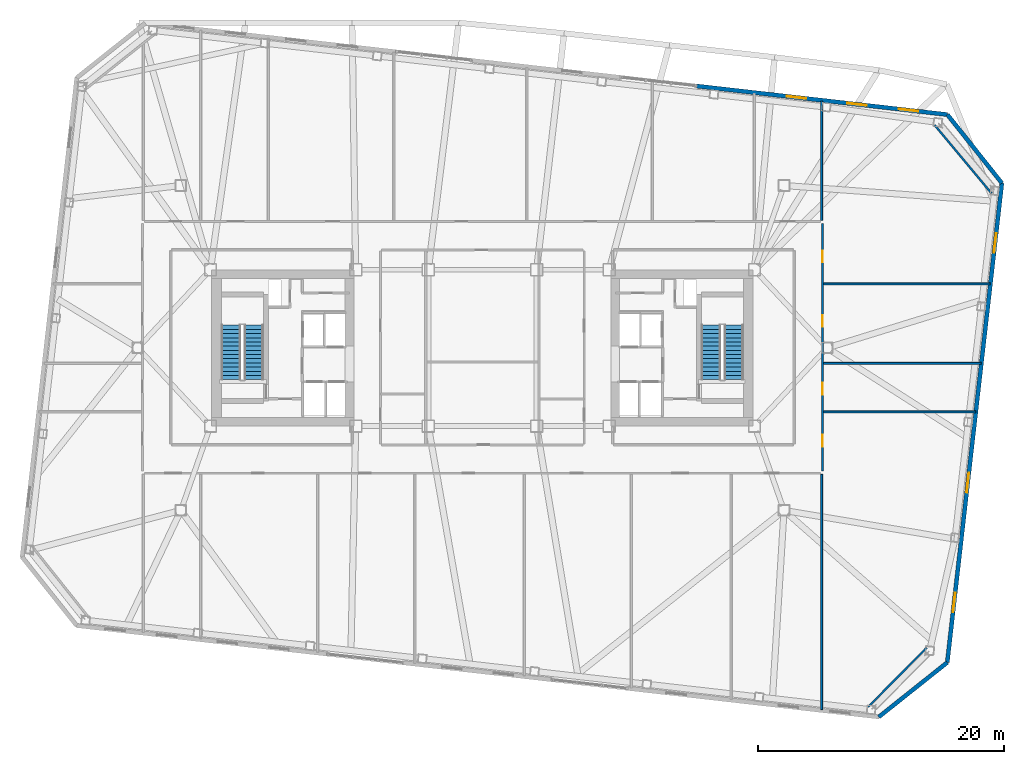
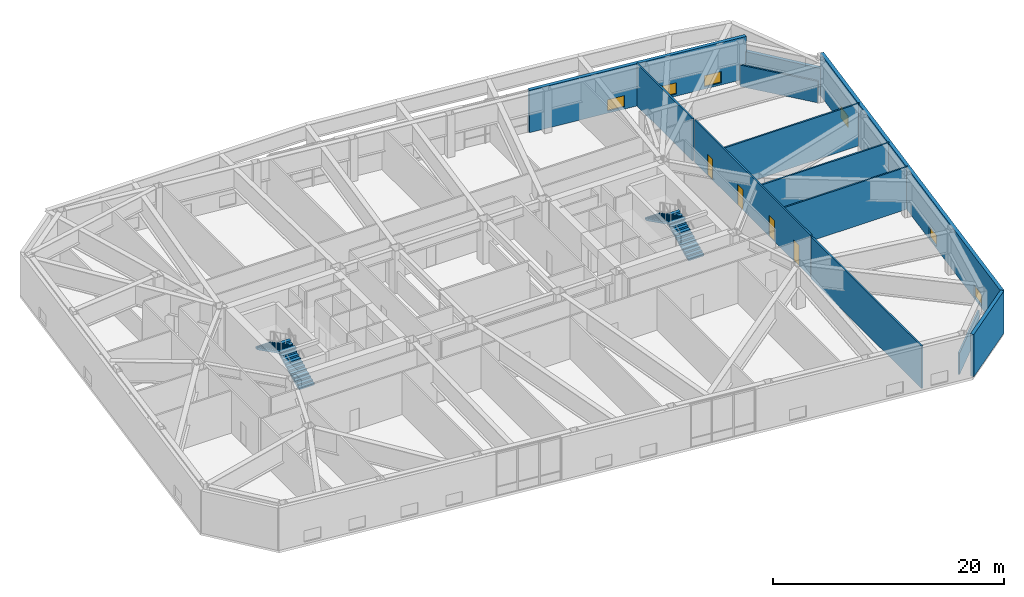
# One storey, part 14 of 19: 12 walls, 6 windows, 4 doors, 4 stair flights, 10 openings, 2 elements without a shape of their own.
"""IFC4 building model written with IfcOpenShell, lengths in metres."""

from ifc_helpers import new_model, si_unit, direction, frame, frame_2d, origin, place, context, subcontext, project, spatial, polyline, rectangle, outline, extrude, material, layer, layer_set, type_object, element, fill, aggregate, save


model = new_model("IFC4")

# Units and contexts
model_context = context("Model", 3, precision=1e-05, world=origin(), true_north=direction((0.0, 1.0)))
body_context = subcontext(model_context, "Body", "Model", "MODEL_VIEW")
ifc_project = project(units=[si_unit("LENGTHUNIT", "METRE"), si_unit("AREAUNIT", "SQUARE_METRE"), si_unit("VOLUMEUNIT", "CUBIC_METRE"), si_unit("PLANEANGLEUNIT", "RADIAN"), si_unit("MASSUNIT", "GRAM", prefix="KILO")], contexts=[model_context])

# Site, building, storey
site_placement = place(None, origin())
site = spatial("IfcSite", under=ifc_project, at=site_placement, CompositionType="ELEMENT")
building_placement = place(site_placement, origin())
building = spatial("IfcBuilding", under=site, at=building_placement, Name="Tavrogorsk Clinical Tower", CompositionType="ELEMENT")
storey_placement = place(building_placement, frame((0.0, 0.0, 141.39990234375)))
storey = spatial("IfcBuildingStorey", under=building, at=storey_placement, Name="L32", CompositionType="ELEMENT", Elevation=141.39990234375)

# Walls
ifc_material_1 = material(Name="Lightweight concrete blockwork B15", Category="masonry")
ifc_layer_1 = layer(ifc_material_1, 0.159912109375)
ifc_layer_set_1 = layer_set([ifc_layer_1], Name="Lightweight concrete blockwork B15")
wall_type_1 = type_object("IfcWallType", Name="PartitionWall_160", PredefinedType="PARTITIONING", material=ifc_layer_set_1)
wall_1_placement = place(storey_placement, frame((31.34130859375, -29.162109375, 0.0), z_axis=(0.0, 0.0, 1.0), x_axis=(0.702905898933, 0.711282853192, 0.0)))
element("IfcWall", 1, at=wall_1_placement, inside=storey, type_object=wall_type_1, Name="L32 Corner Exoskeleton Brace Furring Wall 1", PredefinedType="PARTITIONING", context=body_context, shape_type="SweptSolid", body=[
    extrude(rectangle(XDim=6.761474609375, YDim=0.159912109375, at=frame_2d((3.380859375, 0.0))), origin(), (0.0, 0.0, 1.0), 2.275146484375),
])
wall_2_placement = place(storey_placement, frame((41.36083984375, 12.555908203125, 0.0), z_axis=(0.0, 0.0, 1.0), x_axis=(-0.640217638562, 0.768193579298, 0.0)))
element("IfcWall", 2, at=wall_2_placement, inside=storey, type_object=wall_type_1, Name="L32 Corner Exoskeleton Brace Furring Wall 2", PredefinedType="PARTITIONING", context=body_context, shape_type="SweptSolid", body=[
    extrude(rectangle(XDim=7.224365234375, YDim=0.159912109375, at=frame_2d((3.6123046875, 0.0))), origin(), (0.0, 0.0, 1.0), 2.275146484375),
])

# Wall, openings, doors
wall_3_placement = place(storey_placement, frame((27.6298828125, 10.114990234375, 0.0), z_axis=(0.0, 0.0, 1.0), x_axis=(0.0, -1.0, 0.0)))
wall_3 = element("IfcWall", 3, at=wall_3_placement, inside=storey, type_object=wall_type_1, Name="L32 Corridor Partition 03", PredefinedType="PARTITIONING", context=body_context, shape_type="SweptSolid", body=[
    extrude(rectangle(XDim=20.1298828125, YDim=0.159912109375, at=frame_2d((10.06494140625, 0.0))), origin(), (0.0, 0.0, 1.0), 4.47998046875),
])
opening_1_placement = place(wall_3_placement, frame((17.180908203125, 0.0, 0.0)))
opening_1 = element("IfcOpeningElement", 4, at=opening_1_placement, cuts=wall_3, Name="Opening ID-02", PredefinedType="OPENING", context=body_context, shape_type="SweptSolid", body=[
    extrude(rectangle(XDim=0.949951171875, YDim=2.199951171875, at=frame_2d((0.47509765625, 1.10009765625))), frame((0.0, 0.08984375, 0.0), z_axis=(0.0, -1.0, 0.0), x_axis=(1.0, 0.0, 0.0)), (0.0, 0.0, 1.0), 0.179931640625),
])
opening_2_placement = place(wall_3_placement, frame((12.949951171875, 0.0, 0.0)))
opening_2 = element("IfcOpeningElement", 5, at=opening_2_placement, cuts=wall_3, Name="Opening ID-02", PredefinedType="OPENING", context=body_context, shape_type="SweptSolid", body=[
    extrude(rectangle(XDim=0.949951171875, YDim=2.199951171875, at=frame_2d((0.47509765625, 1.10009765625))), frame((0.0, 0.08984375, 0.0), z_axis=(0.0, -1.0, 0.0), x_axis=(1.0, 0.0, 0.0)), (0.0, 0.0, 1.0), 0.179931640625),
])
opening_3_placement = place(wall_3_placement, frame((7.449951171875, 0.0, 0.0)))
opening_3 = element("IfcOpeningElement", 6, at=opening_3_placement, cuts=wall_3, Name="Opening ID-02", PredefinedType="OPENING", context=body_context, shape_type="SweptSolid", body=[
    extrude(rectangle(XDim=0.949951171875, YDim=2.199951171875, at=frame_2d((0.47509765625, 1.10009765625))), frame((0.0, 0.08984375, 0.0), z_axis=(0.0, -1.0, 0.0), x_axis=(1.0, 0.0, 0.0)), (0.0, 0.0, 1.0), 0.179931640625),
])
opening_4_placement = place(wall_3_placement, frame((2.218994140625, 0.0, 0.0)))
opening_4 = element("IfcOpeningElement", 7, at=opening_4_placement, cuts=wall_3, Name="Opening ID-02", PredefinedType="OPENING", context=body_context, shape_type="SweptSolid", body=[
    extrude(rectangle(XDim=0.949951171875, YDim=2.199951171875, at=frame_2d((0.47509765625, 1.10009765625))), frame((0.0, 0.08984375, 0.0), z_axis=(0.0, -1.0, 0.0), x_axis=(1.0, 0.0, 0.0)), (0.0, 0.0, 1.0), 0.179931640625),
])
ifc_material_2 = material(Name="Laminated timber leaf on aluminium frame", Category="wood")
door_type = type_object("IfcDoorType", Name="InteriorDoor_ID02_950", OperationType="NOTDEFINED", PredefinedType="DOOR", material=ifc_material_2)
door_1_placement = place(opening_1_placement, origin())
door_1 = element("IfcDoor", 8, at=door_1_placement, inside=storey, type_object=door_type, Name="L32 E Senior Clinician Suite 1 Door", OperationType="SINGLE_SWING_LEFT", OverallHeight=2.199951171875, OverallWidth=0.949951171875, PredefinedType="DOOR", context=body_context, shape_type="SweptSolid", body=[
    extrude(rectangle(XDim=0.949951171875, YDim=2.199951171875, at=frame_2d((0.47509765625, 1.10009765625))), frame((0.0, 0.02490234375, 0.0), z_axis=(0.0, -1.0, 0.0), x_axis=(1.0, 0.0, 0.0)), (0.0, 0.0, 1.0), 0.050048828125),
])
fill(opening_1, door_1)
door_2_placement = place(opening_2_placement, origin())
door_2 = element("IfcDoor", 9, at=door_2_placement, inside=storey, type_object=door_type, Name="L32 E Multidisciplinary Seminar Suite 2 Door", OperationType="SINGLE_SWING_RIGHT", OverallHeight=2.199951171875, OverallWidth=0.949951171875, PredefinedType="DOOR", context=body_context, shape_type="SweptSolid", body=[
    extrude(rectangle(XDim=0.949951171875, YDim=2.199951171875, at=frame_2d((0.47509765625, 1.10009765625))), frame((0.0, 0.02490234375, 0.0), z_axis=(0.0, -1.0, 0.0), x_axis=(1.0, 0.0, 0.0)), (0.0, 0.0, 1.0), 0.050048828125),
])
fill(opening_2, door_2)
door_3_placement = place(opening_3_placement, origin())
door_3 = element("IfcDoor", 10, at=door_3_placement, inside=storey, type_object=door_type, Name="L32 E Specialist Consultation Room 3 Door", OperationType="SINGLE_SWING_LEFT", OverallHeight=2.199951171875, OverallWidth=0.949951171875, PredefinedType="DOOR", context=body_context, shape_type="SweptSolid", body=[
    extrude(rectangle(XDim=0.949951171875, YDim=2.199951171875, at=frame_2d((0.47509765625, 1.10009765625))), frame((0.0, 0.02490234375, 0.0), z_axis=(0.0, -1.0, 0.0), x_axis=(1.0, 0.0, 0.0)), (0.0, 0.0, 1.0), 0.050048828125),
])
fill(opening_3, door_3)
door_4_placement = place(opening_4_placement, origin())
door_4 = element("IfcDoor", 11, at=door_4_placement, inside=storey, type_object=door_type, Name="L32 E Clinical Fellows' Study 4 Door", OperationType="SINGLE_SWING_RIGHT", OverallHeight=2.199951171875, OverallWidth=0.949951171875, PredefinedType="DOOR", context=body_context, shape_type="SweptSolid", body=[
    extrude(rectangle(XDim=0.949951171875, YDim=2.199951171875, at=frame_2d((0.47509765625, 1.10009765625))), frame((0.0, 0.02490234375, 0.0), z_axis=(0.0, -1.0, 0.0), x_axis=(1.0, 0.0, 0.0)), (0.0, 0.0, 1.0), 0.050048828125),
])
fill(opening_4, door_4)

# Walls
wall_4_placement = place(storey_placement, frame((27.550048828125, 10.364990234375, 0.0), z_axis=(0.0, 0.0, 1.0), x_axis=(0.0, 1.0, 0.0)))
element("IfcWall", 12, at=wall_4_placement, inside=storey, type_object=wall_type_1, Name="L32 NE Wing Closure Partition", PredefinedType="PARTITIONING", context=body_context, shape_type="SweptSolid", body=[
    extrude(rectangle(XDim=9.6884765625, YDim=0.159912109375, at=frame_2d((4.84423828125, 0.0))), origin(), (0.0, 0.0, 1.0), 4.47998046875),
])
wall_5_placement = place(storey_placement, frame((27.550048828125, -29.384521484375, 0.0), z_axis=(0.0, 0.0, 1.0), x_axis=(0.0, 1.0, 0.0)))
element("IfcWall", 13, at=wall_5_placement, inside=storey, type_object=wall_type_1, Name="L32 SE Wing Closure Partition", PredefinedType="PARTITIONING", context=body_context, shape_type="SweptSolid", body=[
    extrude(rectangle(XDim=19.11962890625, YDim=0.159912109375, at=frame_2d((9.559814453125, 0.0))), origin(), (0.0, 0.0, 1.0), 4.47998046875),
])
wall_6_placement = place(storey_placement, frame((27.715087890625, -5.199951171875, 0.0), z_axis=(0.0, 0.0, 1.0), x_axis=(1.0, 0.0, 0.0)))
element("IfcWall", 14, at=wall_6_placement, inside=storey, type_object=wall_type_1, Name="L32 E Wing Divider 1", PredefinedType="PARTITIONING", context=body_context, shape_type="SweptSolid", body=[
    extrude(rectangle(XDim=12.35205078125, YDim=0.159912109375, at=frame_2d((6.176025390625, 0.0))), origin(), (0.0, 0.0, 1.0), 4.47998046875),
])
wall_7_placement = place(storey_placement, frame((27.715087890625, -1.25, 0.0), z_axis=(0.0, 0.0, 1.0), x_axis=(1.0, 0.0, 0.0)))
element("IfcWall", 15, at=wall_7_placement, inside=storey, type_object=wall_type_1, Name="L32 E Wing Divider 2", PredefinedType="PARTITIONING", context=body_context, shape_type="SweptSolid", body=[
    extrude(rectangle(XDim=12.80224609375, YDim=0.159912109375, at=frame_2d((6.401123046875, 0.0))), origin(), (0.0, 0.0, 1.0), 4.47998046875),
])
wall_8_placement = place(storey_placement, frame((27.715087890625, 5.199951171875, 0.0), z_axis=(0.0, 0.0, 1.0), x_axis=(1.0, 0.0, 0.0)))
element("IfcWall", 16, at=wall_8_placement, inside=storey, type_object=wall_type_1, Name="L32 E Wing Divider 3", PredefinedType="PARTITIONING", context=body_context, shape_type="SweptSolid", body=[
    extrude(rectangle(XDim=13.537109375, YDim=0.159912109375, at=frame_2d((6.7685546875, 0.0))), origin(), (0.0, 0.0, 1.0), 4.47998046875),
])

# Wall, openings, windows
ifc_material_3 = material(Name="Precast concrete B45 with limestone cladding", Category="masonry")
ifc_layer_2 = layer(ifc_material_3, 0.340087890625)
ifc_layer_set_2 = layer_set([ifc_layer_2], Name="Precast concrete B45 with limestone cladding")
wall_type_2 = type_object("IfcWallType", Name="PrecastLimestoneWall_340", PredefinedType="STANDARD", material=ifc_layer_set_2)
wall_9_placement = place(storey_placement, frame((37.77734375, 18.95849609375, 0.0), z_axis=(0.0, 0.0, 1.0), x_axis=(-0.993570538923, 0.113214770165, 0.0)))
wall_9 = element("IfcWall", 17, at=wall_9_placement, inside=storey, type_object=wall_type_2, Name="L32 N Limestone Facade Wall 1", PredefinedType="STANDARD", context=body_context, shape_type="SweptSolid", body=[
    extrude(rectangle(XDim=20.522705078125, YDim=0.340087890625, at=frame_2d((10.26123046875, 0.0))), origin(), (0.0, 0.0, 1.0), 4.47998046875),
])
opening_5_placement = place(wall_9_placement, frame((11.534912109375, 0.0, 0.219970703125)))
opening_5 = element("IfcOpeningElement", 18, at=opening_5_placement, cuts=wall_9, Name="Opening WN-09", PredefinedType="OPENING", context=body_context, shape_type="SweptSolid", body=[
    extrude(rectangle(XDim=1.60009765625, YDim=1.199951171875, at=frame_2d((0.800048828125, 0.60009765625))), frame((0.0, 0.179931640625, 0.0), z_axis=(0.0, -1.0, 0.0), x_axis=(1.0, 0.0, 0.0)), (0.0, 0.0, 1.0), 0.360107421875),
])
opening_6_placement = place(wall_9_placement, frame((6.585693359375, 0.0, 0.219970703125)))
opening_6 = element("IfcOpeningElement", 19, at=opening_6_placement, cuts=wall_9, Name="Opening WN-09", PredefinedType="OPENING", context=body_context, shape_type="SweptSolid", body=[
    extrude(rectangle(XDim=1.60009765625, YDim=1.199951171875, at=frame_2d((0.800048828125, 0.60009765625))), frame((0.0, 0.179931640625, 0.0), z_axis=(0.0, -1.0, 0.0), x_axis=(1.0, 0.0, 0.0)), (0.0, 0.0, 1.0), 0.360107421875),
])
opening_7_placement = place(wall_9_placement, frame((2.375244140625, 0.0, 0.219970703125)))
opening_7 = element("IfcOpeningElement", 20, at=opening_7_placement, cuts=wall_9, Name="Opening WN-09", PredefinedType="OPENING", context=body_context, shape_type="SweptSolid", body=[
    extrude(rectangle(XDim=1.60009765625, YDim=1.199951171875, at=frame_2d((0.800048828125, 0.60009765625))), frame((0.0, 0.179931640625, 0.0), z_axis=(0.0, -1.0, 0.0), x_axis=(1.0, 0.0, 0.0)), (0.0, 0.0, 1.0), 0.360107421875),
])
ifc_material_4 = material(Name="Thermally broken aluminium frame and triple IGU", Category="aluminium")
window_type = type_object("IfcWindowType", Name="LowHeadTransWin_1600x1200", PartitioningType="DOUBLE_PANEL_VERTICAL", PredefinedType="WINDOW", material=ifc_material_4)
window_1_placement = place(opening_5_placement, origin())
window_1 = element("IfcWindow", 21, at=window_1_placement, inside=storey, type_object=window_type, Name="L32 N Chicago Window 08", OverallHeight=1.199951171875, OverallWidth=1.60009765625, PartitioningType="SINGLE_PANEL", PredefinedType="WINDOW", context=body_context, shape_type="SweptSolid", body=[
    extrude(rectangle(XDim=1.60009765625, YDim=1.199951171875, at=frame_2d((0.800048828125, 0.60009765625))), frame((0.0, 0.030029296875, 0.0), z_axis=(0.0, -1.0, 0.0), x_axis=(1.0, 0.0, 0.0)), (0.0, 0.0, 1.0), 0.06005859375),
])
fill(opening_5, window_1)
window_2_placement = place(opening_6_placement, origin())
window_2 = element("IfcWindow", 22, at=window_2_placement, inside=storey, type_object=window_type, Name="L32 N Chicago Window 09", OverallHeight=1.199951171875, OverallWidth=1.60009765625, PartitioningType="SINGLE_PANEL", PredefinedType="WINDOW", context=body_context, shape_type="SweptSolid", body=[
    extrude(rectangle(XDim=1.60009765625, YDim=1.199951171875, at=frame_2d((0.800048828125, 0.60009765625))), frame((0.0, 0.030029296875, 0.0), z_axis=(0.0, -1.0, 0.0), x_axis=(1.0, 0.0, 0.0)), (0.0, 0.0, 1.0), 0.06005859375),
])
fill(opening_6, window_2)
window_3_placement = place(opening_7_placement, origin())
window_3 = element("IfcWindow", 23, at=window_3_placement, inside=storey, type_object=window_type, Name="L32 N Chicago Window 10", OverallHeight=1.199951171875, OverallWidth=1.60009765625, PartitioningType="SINGLE_PANEL", PredefinedType="WINDOW", context=body_context, shape_type="SweptSolid", body=[
    extrude(rectangle(XDim=1.60009765625, YDim=1.199951171875, at=frame_2d((0.800048828125, 0.60009765625))), frame((0.0, 0.030029296875, 0.0), z_axis=(0.0, -1.0, 0.0), x_axis=(1.0, 0.0, 0.0)), (0.0, 0.0, 1.0), 0.06005859375),
])
fill(opening_7, window_3)

wall_10_placement = place(storey_placement, frame((37.76806640625, -25.556396484375, 0.0), z_axis=(0.0, 0.0, 1.0), x_axis=(0.113201605824, 0.993572038877, 0.0)))
wall_10 = element("IfcWall", 24, at=wall_10_placement, inside=storey, type_object=wall_type_2, Name="L32 E Pleated Limestone Wing Wall", PredefinedType="STANDARD", context=body_context, shape_type="SweptSolid", body=[
    extrude(rectangle(XDim=39.199951171875, YDim=0.340087890625, at=frame_2d((19.60009765625, 0.0))), origin(), (0.0, 0.0, 1.0), 4.47998046875),
])
opening_8_placement = place(wall_10_placement, frame((4.10009765625, 0.0, 0.219970703125)))
opening_8 = element("IfcOpeningElement", 25, at=opening_8_placement, cuts=wall_10, Name="Opening WN-09", PredefinedType="OPENING", context=body_context, shape_type="SweptSolid", body=[
    extrude(rectangle(XDim=1.60009765625, YDim=1.199951171875, at=frame_2d((0.800048828125, 0.60009765625))), frame((0.0, 0.179931640625, 0.0), z_axis=(0.0, -1.0, 0.0), x_axis=(1.0, 0.0, 0.0)), (0.0, 0.0, 1.0), 0.360107421875),
])
opening_9_placement = place(wall_10_placement, frame((13.89990234375, 0.0, 0.219970703125)))
opening_9 = element("IfcOpeningElement", 26, at=opening_9_placement, cuts=wall_10, Name="Opening WN-09", PredefinedType="OPENING", context=body_context, shape_type="SweptSolid", body=[
    extrude(rectangle(XDim=1.60009765625, YDim=1.199951171875, at=frame_2d((0.800048828125, 0.60009765625))), frame((0.0, 0.179931640625, 0.0), z_axis=(0.0, -1.0, 0.0), x_axis=(1.0, 0.0, 0.0)), (0.0, 0.0, 1.0), 0.360107421875),
])
opening_10_placement = place(wall_10_placement, frame((33.5, 0.0, 0.219970703125)))
opening_10 = element("IfcOpeningElement", 27, at=opening_10_placement, cuts=wall_10, Name="Opening WN-09", PredefinedType="OPENING", context=body_context, shape_type="SweptSolid", body=[
    extrude(rectangle(XDim=1.60009765625, YDim=1.199951171875, at=frame_2d((0.800048828125, 0.60009765625))), frame((0.0, 0.179931640625, 0.0), z_axis=(0.0, -1.0, 0.0), x_axis=(1.0, 0.0, 0.0)), (0.0, 0.0, 1.0), 0.360107421875),
])
window_4_placement = place(opening_8_placement, origin())
window_4 = element("IfcWindow", 28, at=window_4_placement, inside=storey, type_object=window_type, Name="L32 E Pleat Slot Window 1", OverallHeight=1.199951171875, OverallWidth=1.60009765625, PartitioningType="SINGLE_PANEL", PredefinedType="WINDOW", context=body_context, shape_type="SweptSolid", body=[
    extrude(rectangle(XDim=1.60009765625, YDim=1.199951171875, at=frame_2d((0.800048828125, 0.60009765625))), frame((0.0, 0.030029296875, 0.0), z_axis=(0.0, -1.0, 0.0), x_axis=(1.0, 0.0, 0.0)), (0.0, 0.0, 1.0), 0.06005859375),
])
fill(opening_8, window_4)
window_5_placement = place(opening_9_placement, origin())
window_5 = element("IfcWindow", 29, at=window_5_placement, inside=storey, type_object=window_type, Name="L32 E Pleat Slot Window 2", OverallHeight=1.199951171875, OverallWidth=1.60009765625, PartitioningType="SINGLE_PANEL", PredefinedType="WINDOW", context=body_context, shape_type="SweptSolid", body=[
    extrude(rectangle(XDim=1.60009765625, YDim=1.199951171875, at=frame_2d((0.800048828125, 0.60009765625))), frame((0.0, 0.030029296875, 0.0), z_axis=(0.0, -1.0, 0.0), x_axis=(1.0, 0.0, 0.0)), (0.0, 0.0, 1.0), 0.06005859375),
])
fill(opening_9, window_5)
window_6_placement = place(opening_10_placement, origin())
window_6 = element("IfcWindow", 30, at=window_6_placement, inside=storey, type_object=window_type, Name="L32 E Pleat Slot Window 4", OverallHeight=1.199951171875, OverallWidth=1.60009765625, PartitioningType="SINGLE_PANEL", PredefinedType="WINDOW", context=body_context, shape_type="SweptSolid", body=[
    extrude(rectangle(XDim=1.60009765625, YDim=1.199951171875, at=frame_2d((0.800048828125, 0.60009765625))), frame((0.0, 0.030029296875, 0.0), z_axis=(0.0, -1.0, 0.0), x_axis=(1.0, 0.0, 0.0)), (0.0, 0.0, 1.0), 0.06005859375),
])
fill(opening_10, window_6)

# Walls
wall_11_placement = place(storey_placement, frame((32.200927734375, -29.984619140625, 0.0), z_axis=(0.0, 0.0, 1.0), x_axis=(0.78261359446, 0.622507800567, 0.0)))
element("IfcWall", 31, at=wall_11_placement, inside=storey, type_object=wall_type_2, Name="L32 Chamfered Corner Wall 1", PredefinedType="STANDARD", context=body_context, shape_type="SweptSolid", body=[
    extrude(rectangle(XDim=7.113525390625, YDim=0.340087890625, at=frame_2d((3.556640625, 0.0))), origin(), (0.0, 0.0, 1.0), 4.47998046875),
])
wall_12_placement = place(storey_placement, frame((42.20556640625, 13.3916015625, 0.0), z_axis=(0.0, 0.0, 1.0), x_axis=(-0.622524521309, 0.782600294128, 0.0)))
element("IfcWall", 32, at=wall_12_placement, inside=storey, type_object=wall_type_2, Name="L32 Chamfered Corner Wall 2", PredefinedType="STANDARD", context=body_context, shape_type="SweptSolid", body=[
    extrude(rectangle(XDim=7.11328125, YDim=0.340087890625, at=frame_2d((3.556640625, 0.0))), origin(), (0.0, 0.0, 1.0), 2.875),
])

# Stair, stair flights
ifc_material_5 = material(Name="Concrete B60", Category="concrete")
stair_type = type_object("IfcStairType", Name="CoreStairAssembly", PredefinedType="HALF_TURN_STAIR", material=ifc_material_5)
stair_1_placement = place(storey_placement, origin())
stair_1 = element("IfcStair", 33, at=stair_1_placement, inside=storey, type_object=stair_type, Name="L32 ST-W", PredefinedType="HALF_TURN_STAIR")
ifc_material_6 = material(Name="Concrete B60", Category="concrete")
stair_flight_type = type_object("IfcStairFlightType", Name="CoreStairFlight", PredefinedType="STRAIGHT", material=ifc_material_6)
stair_flight_1_placement = place(storey_placement, frame((-18.574951171875, -2.574951171875, 0.0), z_axis=(0.0, 0.0, 1.0), x_axis=(0.0, 1.0, 0.0)))
stair_flight_1 = element("IfcStairFlight", 34, at=stair_flight_1_placement, type_object=stair_flight_type, Name="ST-W flight 1", NumberOfRisers=14, NumberOfTreads=13, PredefinedType="STRAIGHT", RiserHeight=0.171428571, TreadLength=0.34, context=body_context, shape_type="SweptSolid", body=[
    extrude(outline(polyline([(0.0, 0.0), (0.0, 0.17138671875), (0.340087890625, 0.17138671875), (0.340087890625, 0.3427734375), (0.679931640625, 0.3427734375), (0.679931640625, 0.514404296875), (1.02001953125, 0.514404296875), (1.02001953125, 0.685791015625), (1.360107421875, 0.685791015625), (1.360107421875, 0.857177734375), (1.699951171875, 0.857177734375), (1.699951171875, 1.028564453125), (2.0400390625, 1.028564453125), (2.0400390625, 1.199951171875), (2.3798828125, 1.199951171875), (2.3798828125, 1.371337890625), (2.719970703125, 1.371337890625), (2.719970703125, 1.54296875), (3.06005859375, 1.54296875), (3.06005859375, 1.71435546875), (3.39990234375, 1.71435546875), (3.39990234375, 1.8857421875), (3.739990234375, 1.8857421875), (3.739990234375, 2.05712890625), (4.080078125, 2.05712890625), (4.080078125, 2.228515625), (4.419921875, 2.228515625), (4.419921875, 2.39990234375), (4.419921875, 2.060791015625), (0.3330078125, 0.0), (0.0, 0.0)])), frame((0.0, 0.77490234375, 0.0), z_axis=(0.0, -1.0, 0.0), x_axis=(1.0, 0.0, 0.0)), (0.0, 0.0, 1.0), 1.550048828125),
])
stair_flight_2_placement = place(storey_placement, frame((-20.425048828125, 1.844970703125, 2.400146484375), z_axis=(0.0, 0.0, 1.0), x_axis=(0.0, -1.0, 0.0)))
stair_flight_2 = element("IfcStairFlight", 35, at=stair_flight_2_placement, type_object=stair_flight_type, Name="ST-W flight 2", NumberOfRisers=14, NumberOfTreads=13, PredefinedType="STRAIGHT", RiserHeight=0.171428571, TreadLength=0.34, context=body_context, shape_type="SweptSolid", body=[
    extrude(outline(polyline([(0.0, 0.0), (0.0, 0.17138671875), (0.340087890625, 0.17138671875), (0.340087890625, 0.3427734375), (0.679931640625, 0.3427734375), (0.679931640625, 0.514404296875), (1.02001953125, 0.514404296875), (1.02001953125, 0.685791015625), (1.360107421875, 0.685791015625), (1.360107421875, 0.857177734375), (1.699951171875, 0.857177734375), (1.699951171875, 1.028564453125), (2.0400390625, 1.028564453125), (2.0400390625, 1.199951171875), (2.3798828125, 1.199951171875), (2.3798828125, 1.371337890625), (2.719970703125, 1.371337890625), (2.719970703125, 1.54296875), (3.06005859375, 1.54296875), (3.06005859375, 1.71435546875), (3.39990234375, 1.71435546875), (3.39990234375, 1.8857421875), (3.739990234375, 1.8857421875), (3.739990234375, 2.05712890625), (4.080078125, 2.05712890625), (4.080078125, 2.228515625), (4.419921875, 2.228515625), (4.419921875, 2.39990234375), (4.419921875, 2.060791015625), (0.3330078125, 0.0), (0.0, 0.0)])), frame((0.0, 0.77490234375, 0.0), z_axis=(0.0, -1.0, 0.0), x_axis=(1.0, 0.0, 0.0)), (0.0, 0.0, 1.0), 1.550048828125),
])
aggregate(stair_1, [stair_flight_1, stair_flight_2])

stair_2_placement = place(storey_placement, origin())
stair_2 = element("IfcStair", 36, at=stair_2_placement, inside=storey, type_object=stair_type, Name="L32 ST-E", PredefinedType="HALF_TURN_STAIR")
stair_flight_3_placement = place(storey_placement, frame((20.425048828125, -2.574951171875, 0.0), z_axis=(0.0, 0.0, 1.0), x_axis=(0.0, 1.0, 0.0)))
stair_flight_3 = element("IfcStairFlight", 37, at=stair_flight_3_placement, type_object=stair_flight_type, Name="ST-E flight 1", NumberOfRisers=14, NumberOfTreads=13, PredefinedType="STRAIGHT", RiserHeight=0.171428571, TreadLength=0.34, context=body_context, shape_type="SweptSolid", body=[
    extrude(outline(polyline([(0.0, 0.0), (0.0, 0.17138671875), (0.340087890625, 0.17138671875), (0.340087890625, 0.3427734375), (0.679931640625, 0.3427734375), (0.679931640625, 0.514404296875), (1.02001953125, 0.514404296875), (1.02001953125, 0.685791015625), (1.360107421875, 0.685791015625), (1.360107421875, 0.857177734375), (1.699951171875, 0.857177734375), (1.699951171875, 1.028564453125), (2.0400390625, 1.028564453125), (2.0400390625, 1.199951171875), (2.3798828125, 1.199951171875), (2.3798828125, 1.371337890625), (2.719970703125, 1.371337890625), (2.719970703125, 1.54296875), (3.06005859375, 1.54296875), (3.06005859375, 1.71435546875), (3.39990234375, 1.71435546875), (3.39990234375, 1.8857421875), (3.739990234375, 1.8857421875), (3.739990234375, 2.05712890625), (4.080078125, 2.05712890625), (4.080078125, 2.228515625), (4.419921875, 2.228515625), (4.419921875, 2.39990234375), (4.419921875, 2.060791015625), (0.3330078125, 0.0), (0.0, 0.0)])), frame((0.0, 0.77490234375, 0.0), z_axis=(0.0, -1.0, 0.0), x_axis=(1.0, 0.0, 0.0)), (0.0, 0.0, 1.0), 1.550048828125),
])
stair_flight_4_placement = place(storey_placement, frame((18.574951171875, 1.844970703125, 2.400146484375), z_axis=(0.0, 0.0, 1.0), x_axis=(0.0, -1.0, 0.0)))
stair_flight_4 = element("IfcStairFlight", 38, at=stair_flight_4_placement, type_object=stair_flight_type, Name="ST-E flight 2", NumberOfRisers=14, NumberOfTreads=13, PredefinedType="STRAIGHT", RiserHeight=0.171428571, TreadLength=0.34, context=body_context, shape_type="SweptSolid", body=[
    extrude(outline(polyline([(0.0, 0.0), (0.0, 0.17138671875), (0.340087890625, 0.17138671875), (0.340087890625, 0.3427734375), (0.679931640625, 0.3427734375), (0.679931640625, 0.514404296875), (1.02001953125, 0.514404296875), (1.02001953125, 0.685791015625), (1.360107421875, 0.685791015625), (1.360107421875, 0.857177734375), (1.699951171875, 0.857177734375), (1.699951171875, 1.028564453125), (2.0400390625, 1.028564453125), (2.0400390625, 1.199951171875), (2.3798828125, 1.199951171875), (2.3798828125, 1.371337890625), (2.719970703125, 1.371337890625), (2.719970703125, 1.54296875), (3.06005859375, 1.54296875), (3.06005859375, 1.71435546875), (3.39990234375, 1.71435546875), (3.39990234375, 1.8857421875), (3.739990234375, 1.8857421875), (3.739990234375, 2.05712890625), (4.080078125, 2.05712890625), (4.080078125, 2.228515625), (4.419921875, 2.228515625), (4.419921875, 2.39990234375), (4.419921875, 2.060791015625), (0.3330078125, 0.0), (0.0, 0.0)])), frame((0.0, 0.77490234375, 0.0), z_axis=(0.0, -1.0, 0.0), x_axis=(1.0, 0.0, 0.0)), (0.0, 0.0, 1.0), 1.550048828125),
])
aggregate(stair_2, [stair_flight_3, stair_flight_4])

save(model, "model.ifc")
